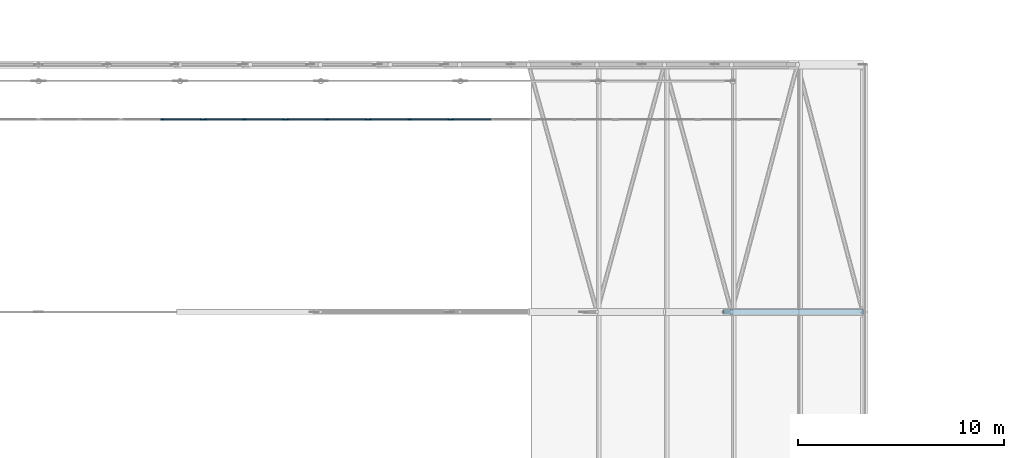
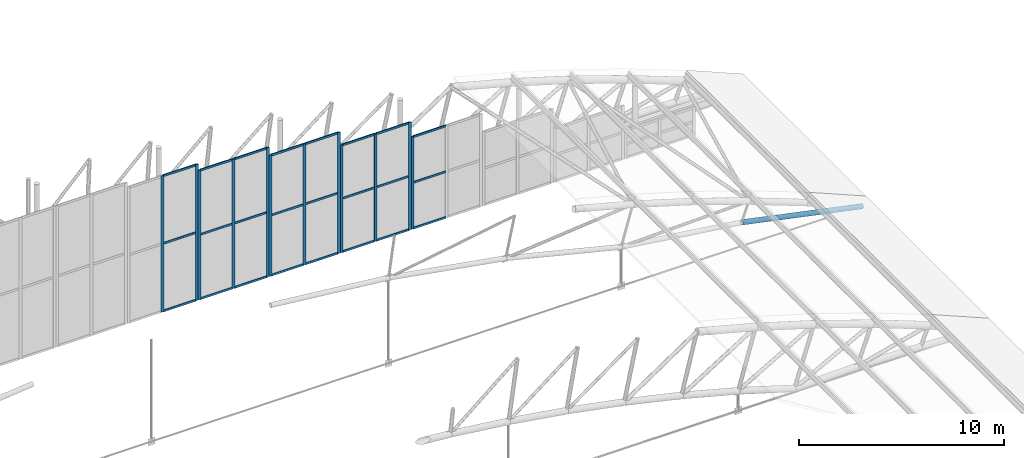
# One storey, part 197 of 321: 37 members, 5 elements without a shape of their own.
"""IFC4 building model written with IfcOpenShell, lengths in metres."""

from ifc_helpers import new_model, si_unit, direction, frame, origin, origin_2d, place, context, subcontext, project, spatial, rectangle, hollow_circle, extrude, material, layer, layer_set, material_profile, profile_set, type_object, element, aggregate, save


model = new_model("IFC4")

# Units and contexts
model_context = context("Model", 3, precision=1e-05, world=origin(), true_north=direction((0.0, 1.0)))
body_context = subcontext(model_context, "Body", "Model", "MODEL_VIEW")
ifc_project = project(units=[si_unit("LENGTHUNIT", "METRE"), si_unit("AREAUNIT", "SQUARE_METRE"), si_unit("VOLUMEUNIT", "CUBIC_METRE"), si_unit("PLANEANGLEUNIT", "RADIAN"), si_unit("MASSUNIT", "GRAM", prefix="KILO")], contexts=[model_context])

# Site, building, storey
site_placement = place(None, origin())
site = spatial("IfcSite", under=ifc_project, at=site_placement, CompositionType="ELEMENT")
building_placement = place(site_placement, origin())
building = spatial("IfcBuilding", under=site, at=building_placement, Name="Ravi Spectrum Wholesale Market", CompositionType="ELEMENT")
storey_placement = place(building_placement, frame((0.0, 0.0, 10.800048828125)))
storey = spatial("IfcBuildingStorey", under=building, at=storey_placement, Name="L02", CompositionType="ELEMENT", Elevation=10.800048828125)

# Member
ifc_material_1 = material(Name="Steel S355", Category="steel")
ifc_material_profile_1 = material_profile(ifc_material_1, hollow_circle(Radius=0.136474609375, WallThickness=0.010009765625, at=origin_2d()))
ifc_profile_set_1 = profile_set([ifc_material_profile_1], Name="Steel S355")
member_type_1 = type_object("IfcMemberType", Name="CHS 273x10 chord", PredefinedType="CHORD", material=ifc_profile_set_1)
member_1_placement = place(storey_placement, frame((103.231201171875, 186.0, 1.435546875), z_axis=(0.978978953118, 0.0, -0.203961293758), x_axis=(0.0, 1.0, 0.0)))
element("IfcMember", 1, at=member_1_placement, inside=storey, type_object=member_type_1, Name="H1-MB-L02-1107", PredefinedType="CHORD", context=body_context, shape_type="SweptSolid", body=[
    extrude(hollow_circle(Radius=0.136474609375, WallThickness=0.010009765625, at=origin_2d()), origin(), (0.0, 0.0, 1.0), 6.924560546875),
])

# Curtain wall, members
ifc_material_2 = material(Name="Aluminium 6063-T6", Category="aluminium")
ifc_layer = layer(ifc_material_2, 0.14990234375)
ifc_layer_set = layer_set([ifc_layer], Name="Aluminium 6063-T6")
curtain_wall_type = type_object("IfcCurtainWallType", Name="Curtain wall 150", PredefinedType="NOTDEFINED", material=ifc_layer_set)
curtain_wall_1_placement = place(storey_placement, origin())
curtain_wall_1 = element("IfcCurtainWall", 2, at=curtain_wall_1_placement, inside=storey, type_object=curtain_wall_type, Name="H1-CW-L02-011", PredefinedType="NOTDEFINED")
ifc_material_3 = material(Name="Aluminium 6063-T6", Category="aluminium")
ifc_material_profile_2 = material_profile(ifc_material_3, rectangle(XDim=0.06005859375, YDim=0.159912109375, at=origin_2d()))
ifc_profile_set_2 = profile_set([ifc_material_profile_2], Name="Aluminium 6063-T6")
member_type_2 = type_object("IfcMemberType", Name="Mullion 60 x 160", PredefinedType="MULLION", material=ifc_profile_set_2)
member_2_placement = place(storey_placement, frame((76.0, 195.340087890625, 0.0), z_axis=(0.0, 0.0, 1.0), x_axis=(0.0, 1.0, 0.0)))
member_2 = element("IfcMember", 3, at=member_2_placement, type_object=member_type_2, Name="H1-CW-L02-011 mullion 2", PredefinedType="MULLION", context=body_context, shape_type="SweptSolid", body=[
    extrude(rectangle(XDim=0.06005859375, YDim=0.159912109375, at=origin_2d()), origin(), (0.0, 0.0, 1.0), 8.099853515625),
])
member_3_placement = place(storey_placement, frame((77.929931640625, 195.340087890625, 0.0), z_axis=(0.0, 0.0, 1.0), x_axis=(0.0, 1.0, 0.0)))
member_3 = element("IfcMember", 4, at=member_3_placement, type_object=member_type_2, Name="H1-CW-L02-011 mullion 3", PredefinedType="MULLION", context=body_context, shape_type="SweptSolid", body=[
    extrude(rectangle(XDim=0.06005859375, YDim=0.159912109375, at=origin_2d()), origin(), (0.0, 0.0, 1.0), 8.099853515625),
])

curtain_wall_2_placement = place(storey_placement, origin())
curtain_wall_2 = element("IfcCurtainWall", 5, at=curtain_wall_2_placement, inside=storey, type_object=curtain_wall_type, Name="H1-CW-L02-012", PredefinedType="NOTDEFINED")
member_4_placement = place(storey_placement, frame((78.070068359375, 195.340087890625, 0.0), z_axis=(0.0, 0.0, 1.0), x_axis=(0.0, 1.0, 0.0)))
member_4 = element("IfcMember", 6, at=member_4_placement, type_object=member_type_2, Name="H1-CW-L02-012 mullion 1", PredefinedType="MULLION", context=body_context, shape_type="SweptSolid", body=[
    extrude(rectangle(XDim=0.06005859375, YDim=0.159912109375, at=origin_2d()), origin(), (0.0, 0.0, 1.0), 7.699951171875),
])
member_5_placement = place(storey_placement, frame((80.0, 195.340087890625, 0.0), z_axis=(0.0, 0.0, 1.0), x_axis=(0.0, 1.0, 0.0)))
member_5 = element("IfcMember", 7, at=member_5_placement, type_object=member_type_2, Name="H1-CW-L02-012 mullion 2", PredefinedType="MULLION", context=body_context, shape_type="SweptSolid", body=[
    extrude(rectangle(XDim=0.06005859375, YDim=0.159912109375, at=origin_2d()), origin(), (0.0, 0.0, 1.0), 7.699951171875),
])
member_6_placement = place(storey_placement, frame((81.929931640625, 195.340087890625, 0.0), z_axis=(0.0, 0.0, 1.0), x_axis=(0.0, 1.0, 0.0)))
member_6 = element("IfcMember", 8, at=member_6_placement, type_object=member_type_2, Name="H1-CW-L02-012 mullion 3", PredefinedType="MULLION", context=body_context, shape_type="SweptSolid", body=[
    extrude(rectangle(XDim=0.06005859375, YDim=0.159912109375, at=origin_2d()), origin(), (0.0, 0.0, 1.0), 7.699951171875),
])

curtain_wall_3_placement = place(storey_placement, origin())
curtain_wall_3 = element("IfcCurtainWall", 9, at=curtain_wall_3_placement, inside=storey, type_object=curtain_wall_type, Name="H1-CW-L02-013", PredefinedType="NOTDEFINED")
member_7_placement = place(storey_placement, frame((82.070068359375, 195.340087890625, 0.0), z_axis=(0.0, 0.0, 1.0), x_axis=(0.0, 1.0, 0.0)))
member_7 = element("IfcMember", 10, at=member_7_placement, type_object=member_type_2, Name="H1-CW-L02-013 mullion 1", PredefinedType="MULLION", context=body_context, shape_type="SweptSolid", body=[
    extrude(rectangle(XDim=0.06005859375, YDim=0.159912109375, at=origin_2d()), origin(), (0.0, 0.0, 1.0), 7.199951171875),
])
member_8_placement = place(storey_placement, frame((84.0, 195.340087890625, 0.0), z_axis=(0.0, 0.0, 1.0), x_axis=(0.0, 1.0, 0.0)))
member_8 = element("IfcMember", 11, at=member_8_placement, type_object=member_type_2, Name="H1-CW-L02-013 mullion 2", PredefinedType="MULLION", context=body_context, shape_type="SweptSolid", body=[
    extrude(rectangle(XDim=0.06005859375, YDim=0.159912109375, at=origin_2d()), origin(), (0.0, 0.0, 1.0), 7.199951171875),
])
member_9_placement = place(storey_placement, frame((85.929931640625, 195.340087890625, 0.0), z_axis=(0.0, 0.0, 1.0), x_axis=(0.0, 1.0, 0.0)))
member_9 = element("IfcMember", 12, at=member_9_placement, type_object=member_type_2, Name="H1-CW-L02-013 mullion 3", PredefinedType="MULLION", context=body_context, shape_type="SweptSolid", body=[
    extrude(rectangle(XDim=0.06005859375, YDim=0.159912109375, at=origin_2d()), origin(), (0.0, 0.0, 1.0), 7.199951171875),
])

curtain_wall_4_placement = place(storey_placement, origin())
curtain_wall_4 = element("IfcCurtainWall", 13, at=curtain_wall_4_placement, inside=storey, type_object=curtain_wall_type, Name="H1-CW-L02-014", PredefinedType="NOTDEFINED")
member_10_placement = place(storey_placement, frame((86.070068359375, 195.340087890625, 0.0), z_axis=(0.0, 0.0, 1.0), x_axis=(0.0, 1.0, 0.0)))
member_10 = element("IfcMember", 14, at=member_10_placement, type_object=member_type_2, Name="H1-CW-L02-014 mullion 1", PredefinedType="MULLION", context=body_context, shape_type="SweptSolid", body=[
    extrude(rectangle(XDim=0.06005859375, YDim=0.159912109375, at=origin_2d()), origin(), (0.0, 0.0, 1.0), 6.39990234375),
])
member_11_placement = place(storey_placement, frame((88.0, 195.340087890625, 0.0), z_axis=(0.0, 0.0, 1.0), x_axis=(0.0, 1.0, 0.0)))
member_11 = element("IfcMember", 15, at=member_11_placement, type_object=member_type_2, Name="H1-CW-L02-014 mullion 2", PredefinedType="MULLION", context=body_context, shape_type="SweptSolid", body=[
    extrude(rectangle(XDim=0.06005859375, YDim=0.159912109375, at=origin_2d()), origin(), (0.0, 0.0, 1.0), 6.39990234375),
])
member_12_placement = place(storey_placement, frame((89.929931640625, 195.340087890625, 0.0), z_axis=(0.0, 0.0, 1.0), x_axis=(0.0, 1.0, 0.0)))
member_12 = element("IfcMember", 16, at=member_12_placement, type_object=member_type_2, Name="H1-CW-L02-014 mullion 3", PredefinedType="MULLION", context=body_context, shape_type="SweptSolid", body=[
    extrude(rectangle(XDim=0.06005859375, YDim=0.159912109375, at=origin_2d()), origin(), (0.0, 0.0, 1.0), 6.39990234375),
])

# Curtain wall, member
curtain_wall_5_placement = place(storey_placement, origin())
curtain_wall_5 = element("IfcCurtainWall", 17, at=curtain_wall_5_placement, inside=storey, type_object=curtain_wall_type, Name="H1-CW-L02-015", PredefinedType="NOTDEFINED")
member_13_placement = place(storey_placement, frame((90.070068359375, 195.340087890625, 0.0), z_axis=(0.0, 0.0, 1.0), x_axis=(0.0, 1.0, 0.0)))
member_13 = element("IfcMember", 18, at=member_13_placement, type_object=member_type_2, Name="H1-CW-L02-015 mullion 1", PredefinedType="MULLION", context=body_context, shape_type="SweptSolid", body=[
    extrude(rectangle(XDim=0.06005859375, YDim=0.159912109375, at=origin_2d()), origin(), (0.0, 0.0, 1.0), 5.5),
])

# Member
ifc_material_4 = material(Name="Aluminium 6063-T6", Category="aluminium")
ifc_material_profile_3 = material_profile(ifc_material_4, rectangle(XDim=0.06005859375, YDim=0.1201171875, at=origin_2d()))
ifc_profile_set_3 = profile_set([ifc_material_profile_3], Name="Aluminium 6063-T6")
member_type_3 = type_object("IfcMemberType", Name="Transom 60 x 120", PredefinedType="USERDEFINED", material=ifc_profile_set_3)
member_14_placement = place(storey_placement, frame((76.030029296875, 195.340087890625, 0.030029296875), z_axis=(1.0, 0.0, 0.0), x_axis=(0.0, 1.0, 0.0)))
member_14 = element("IfcMember", 19, at=member_14_placement, type_object=member_type_3, Name="H1-CW-L02-011 transom 2.1", ObjectType="TRANSOM", PredefinedType="USERDEFINED", context=body_context, shape_type="SweptSolid", body=[
    extrude(rectangle(XDim=0.06005859375, YDim=0.1201171875, at=origin_2d()), origin(), (0.0, 0.0, 1.0), 1.869873046875),
])

member_15_placement = place(storey_placement, frame((76.030029296875, 195.340087890625, 4.050048828125), z_axis=(1.0, 0.0, 0.0), x_axis=(0.0, 1.0, 0.0)))
member_15 = element("IfcMember", 20, at=member_15_placement, type_object=member_type_3, Name="H1-CW-L02-011 transom 2.2", ObjectType="TRANSOM", PredefinedType="USERDEFINED", context=body_context, shape_type="SweptSolid", body=[
    extrude(rectangle(XDim=0.06005859375, YDim=0.1201171875, at=origin_2d()), origin(), (0.0, 0.0, 1.0), 1.869873046875),
])

member_16_placement = place(storey_placement, frame((76.030029296875, 195.340087890625, 8.070068359375), z_axis=(1.0, 0.0, 0.0), x_axis=(0.0, 1.0, 0.0)))
member_16 = element("IfcMember", 21, at=member_16_placement, type_object=member_type_3, Name="H1-CW-L02-011 transom 2.3", ObjectType="TRANSOM", PredefinedType="USERDEFINED", context=body_context, shape_type="SweptSolid", body=[
    extrude(rectangle(XDim=0.06005859375, YDim=0.1201171875, at=origin_2d()), origin(), (0.0, 0.0, 1.0), 1.869873046875),
])

aggregate(curtain_wall_1, [member_2, member_3, member_14, member_15, member_16])

member_17_placement = place(storey_placement, frame((78.10009765625, 195.340087890625, 0.030029296875), z_axis=(1.0, 0.0, 0.0), x_axis=(0.0, 1.0, 0.0)))
member_17 = element("IfcMember", 22, at=member_17_placement, type_object=member_type_3, Name="H1-CW-L02-012 transom 1.1", ObjectType="TRANSOM", PredefinedType="USERDEFINED", context=body_context, shape_type="SweptSolid", body=[
    extrude(rectangle(XDim=0.06005859375, YDim=0.1201171875, at=origin_2d()), origin(), (0.0, 0.0, 1.0), 1.869873046875),
])

member_18_placement = place(storey_placement, frame((78.10009765625, 195.340087890625, 3.849853515625), z_axis=(1.0, 0.0, 0.0), x_axis=(0.0, 1.0, 0.0)))
member_18 = element("IfcMember", 23, at=member_18_placement, type_object=member_type_3, Name="H1-CW-L02-012 transom 1.2", ObjectType="TRANSOM", PredefinedType="USERDEFINED", context=body_context, shape_type="SweptSolid", body=[
    extrude(rectangle(XDim=0.06005859375, YDim=0.1201171875, at=origin_2d()), origin(), (0.0, 0.0, 1.0), 1.869873046875),
])

member_19_placement = place(storey_placement, frame((78.10009765625, 195.340087890625, 7.669921875), z_axis=(1.0, 0.0, 0.0), x_axis=(0.0, 1.0, 0.0)))
member_19 = element("IfcMember", 24, at=member_19_placement, type_object=member_type_3, Name="H1-CW-L02-012 transom 1.3", ObjectType="TRANSOM", PredefinedType="USERDEFINED", context=body_context, shape_type="SweptSolid", body=[
    extrude(rectangle(XDim=0.06005859375, YDim=0.1201171875, at=origin_2d()), origin(), (0.0, 0.0, 1.0), 1.869873046875),
])

member_20_placement = place(storey_placement, frame((80.030029296875, 195.340087890625, 0.030029296875), z_axis=(1.0, 0.0, 0.0), x_axis=(0.0, 1.0, 0.0)))
member_20 = element("IfcMember", 25, at=member_20_placement, type_object=member_type_3, Name="H1-CW-L02-012 transom 2.1", ObjectType="TRANSOM", PredefinedType="USERDEFINED", context=body_context, shape_type="SweptSolid", body=[
    extrude(rectangle(XDim=0.06005859375, YDim=0.1201171875, at=origin_2d()), origin(), (0.0, 0.0, 1.0), 1.869873046875),
])

member_21_placement = place(storey_placement, frame((80.030029296875, 195.340087890625, 3.849853515625), z_axis=(1.0, 0.0, 0.0), x_axis=(0.0, 1.0, 0.0)))
member_21 = element("IfcMember", 26, at=member_21_placement, type_object=member_type_3, Name="H1-CW-L02-012 transom 2.2", ObjectType="TRANSOM", PredefinedType="USERDEFINED", context=body_context, shape_type="SweptSolid", body=[
    extrude(rectangle(XDim=0.06005859375, YDim=0.1201171875, at=origin_2d()), origin(), (0.0, 0.0, 1.0), 1.869873046875),
])

member_22_placement = place(storey_placement, frame((80.030029296875, 195.340087890625, 7.669921875), z_axis=(1.0, 0.0, 0.0), x_axis=(0.0, 1.0, 0.0)))
member_22 = element("IfcMember", 27, at=member_22_placement, type_object=member_type_3, Name="H1-CW-L02-012 transom 2.3", ObjectType="TRANSOM", PredefinedType="USERDEFINED", context=body_context, shape_type="SweptSolid", body=[
    extrude(rectangle(XDim=0.06005859375, YDim=0.1201171875, at=origin_2d()), origin(), (0.0, 0.0, 1.0), 1.869873046875),
])

aggregate(curtain_wall_2, [member_4, member_5, member_6, member_17, member_18, member_19, member_20, member_21, member_22])

member_23_placement = place(storey_placement, frame((82.10009765625, 195.340087890625, 0.030029296875), z_axis=(1.0, 0.0, 0.0), x_axis=(0.0, 1.0, 0.0)))
member_23 = element("IfcMember", 28, at=member_23_placement, type_object=member_type_3, Name="H1-CW-L02-013 transom 1.1", ObjectType="TRANSOM", PredefinedType="USERDEFINED", context=body_context, shape_type="SweptSolid", body=[
    extrude(rectangle(XDim=0.06005859375, YDim=0.1201171875, at=origin_2d()), origin(), (0.0, 0.0, 1.0), 1.869873046875),
])

member_24_placement = place(storey_placement, frame((82.10009765625, 195.340087890625, 3.599853515625), z_axis=(1.0, 0.0, 0.0), x_axis=(0.0, 1.0, 0.0)))
member_24 = element("IfcMember", 29, at=member_24_placement, type_object=member_type_3, Name="H1-CW-L02-013 transom 1.2", ObjectType="TRANSOM", PredefinedType="USERDEFINED", context=body_context, shape_type="SweptSolid", body=[
    extrude(rectangle(XDim=0.06005859375, YDim=0.1201171875, at=origin_2d()), origin(), (0.0, 0.0, 1.0), 1.869873046875),
])

member_25_placement = place(storey_placement, frame((82.10009765625, 195.340087890625, 7.169921875), z_axis=(1.0, 0.0, 0.0), x_axis=(0.0, 1.0, 0.0)))
member_25 = element("IfcMember", 30, at=member_25_placement, type_object=member_type_3, Name="H1-CW-L02-013 transom 1.3", ObjectType="TRANSOM", PredefinedType="USERDEFINED", context=body_context, shape_type="SweptSolid", body=[
    extrude(rectangle(XDim=0.06005859375, YDim=0.1201171875, at=origin_2d()), origin(), (0.0, 0.0, 1.0), 1.869873046875),
])

member_26_placement = place(storey_placement, frame((84.030029296875, 195.340087890625, 0.030029296875), z_axis=(1.0, 0.0, 0.0), x_axis=(0.0, 1.0, 0.0)))
member_26 = element("IfcMember", 31, at=member_26_placement, type_object=member_type_3, Name="H1-CW-L02-013 transom 2.1", ObjectType="TRANSOM", PredefinedType="USERDEFINED", context=body_context, shape_type="SweptSolid", body=[
    extrude(rectangle(XDim=0.06005859375, YDim=0.1201171875, at=origin_2d()), origin(), (0.0, 0.0, 1.0), 1.869873046875),
])

member_27_placement = place(storey_placement, frame((84.030029296875, 195.340087890625, 3.599853515625), z_axis=(1.0, 0.0, 0.0), x_axis=(0.0, 1.0, 0.0)))
member_27 = element("IfcMember", 32, at=member_27_placement, type_object=member_type_3, Name="H1-CW-L02-013 transom 2.2", ObjectType="TRANSOM", PredefinedType="USERDEFINED", context=body_context, shape_type="SweptSolid", body=[
    extrude(rectangle(XDim=0.06005859375, YDim=0.1201171875, at=origin_2d()), origin(), (0.0, 0.0, 1.0), 1.869873046875),
])

member_28_placement = place(storey_placement, frame((84.030029296875, 195.340087890625, 7.169921875), z_axis=(1.0, 0.0, 0.0), x_axis=(0.0, 1.0, 0.0)))
member_28 = element("IfcMember", 33, at=member_28_placement, type_object=member_type_3, Name="H1-CW-L02-013 transom 2.3", ObjectType="TRANSOM", PredefinedType="USERDEFINED", context=body_context, shape_type="SweptSolid", body=[
    extrude(rectangle(XDim=0.06005859375, YDim=0.1201171875, at=origin_2d()), origin(), (0.0, 0.0, 1.0), 1.869873046875),
])

aggregate(curtain_wall_3, [member_7, member_8, member_9, member_23, member_24, member_25, member_26, member_27, member_28])

member_29_placement = place(storey_placement, frame((86.10009765625, 195.340087890625, 0.030029296875), z_axis=(1.0, 0.0, 0.0), x_axis=(0.0, 1.0, 0.0)))
member_29 = element("IfcMember", 34, at=member_29_placement, type_object=member_type_3, Name="H1-CW-L02-014 transom 1.1", ObjectType="TRANSOM", PredefinedType="USERDEFINED", context=body_context, shape_type="SweptSolid", body=[
    extrude(rectangle(XDim=0.06005859375, YDim=0.1201171875, at=origin_2d()), origin(), (0.0, 0.0, 1.0), 1.869873046875),
])

member_30_placement = place(storey_placement, frame((86.10009765625, 195.340087890625, 3.199951171875), z_axis=(1.0, 0.0, 0.0), x_axis=(0.0, 1.0, 0.0)))
member_30 = element("IfcMember", 35, at=member_30_placement, type_object=member_type_3, Name="H1-CW-L02-014 transom 1.2", ObjectType="TRANSOM", PredefinedType="USERDEFINED", context=body_context, shape_type="SweptSolid", body=[
    extrude(rectangle(XDim=0.06005859375, YDim=0.1201171875, at=origin_2d()), origin(), (0.0, 0.0, 1.0), 1.869873046875),
])

member_31_placement = place(storey_placement, frame((86.10009765625, 195.340087890625, 6.369873046875), z_axis=(1.0, 0.0, 0.0), x_axis=(0.0, 1.0, 0.0)))
member_31 = element("IfcMember", 36, at=member_31_placement, type_object=member_type_3, Name="H1-CW-L02-014 transom 1.3", ObjectType="TRANSOM", PredefinedType="USERDEFINED", context=body_context, shape_type="SweptSolid", body=[
    extrude(rectangle(XDim=0.06005859375, YDim=0.1201171875, at=origin_2d()), origin(), (0.0, 0.0, 1.0), 1.869873046875),
])

member_32_placement = place(storey_placement, frame((88.030029296875, 195.340087890625, 0.030029296875), z_axis=(1.0, 0.0, 0.0), x_axis=(0.0, 1.0, 0.0)))
member_32 = element("IfcMember", 37, at=member_32_placement, type_object=member_type_3, Name="H1-CW-L02-014 transom 2.1", ObjectType="TRANSOM", PredefinedType="USERDEFINED", context=body_context, shape_type="SweptSolid", body=[
    extrude(rectangle(XDim=0.06005859375, YDim=0.1201171875, at=origin_2d()), origin(), (0.0, 0.0, 1.0), 1.869873046875),
])

member_33_placement = place(storey_placement, frame((88.030029296875, 195.340087890625, 3.199951171875), z_axis=(1.0, 0.0, 0.0), x_axis=(0.0, 1.0, 0.0)))
member_33 = element("IfcMember", 38, at=member_33_placement, type_object=member_type_3, Name="H1-CW-L02-014 transom 2.2", ObjectType="TRANSOM", PredefinedType="USERDEFINED", context=body_context, shape_type="SweptSolid", body=[
    extrude(rectangle(XDim=0.06005859375, YDim=0.1201171875, at=origin_2d()), origin(), (0.0, 0.0, 1.0), 1.869873046875),
])

member_34_placement = place(storey_placement, frame((88.030029296875, 195.340087890625, 6.369873046875), z_axis=(1.0, 0.0, 0.0), x_axis=(0.0, 1.0, 0.0)))
member_34 = element("IfcMember", 39, at=member_34_placement, type_object=member_type_3, Name="H1-CW-L02-014 transom 2.3", ObjectType="TRANSOM", PredefinedType="USERDEFINED", context=body_context, shape_type="SweptSolid", body=[
    extrude(rectangle(XDim=0.06005859375, YDim=0.1201171875, at=origin_2d()), origin(), (0.0, 0.0, 1.0), 1.869873046875),
])

aggregate(curtain_wall_4, [member_10, member_11, member_12, member_29, member_30, member_31, member_32, member_33, member_34])

member_35_placement = place(storey_placement, frame((90.10009765625, 195.340087890625, 0.030029296875), z_axis=(1.0, 0.0, 0.0), x_axis=(0.0, 1.0, 0.0)))
member_35 = element("IfcMember", 40, at=member_35_placement, type_object=member_type_3, Name="H1-CW-L02-015 transom 1.1", ObjectType="TRANSOM", PredefinedType="USERDEFINED", context=body_context, shape_type="SweptSolid", body=[
    extrude(rectangle(XDim=0.06005859375, YDim=0.1201171875, at=origin_2d()), origin(), (0.0, 0.0, 1.0), 1.869873046875),
])

member_36_placement = place(storey_placement, frame((90.10009765625, 195.340087890625, 2.75), z_axis=(1.0, 0.0, 0.0), x_axis=(0.0, 1.0, 0.0)))
member_36 = element("IfcMember", 41, at=member_36_placement, type_object=member_type_3, Name="H1-CW-L02-015 transom 1.2", ObjectType="TRANSOM", PredefinedType="USERDEFINED", context=body_context, shape_type="SweptSolid", body=[
    extrude(rectangle(XDim=0.06005859375, YDim=0.1201171875, at=origin_2d()), origin(), (0.0, 0.0, 1.0), 1.869873046875),
])

member_37_placement = place(storey_placement, frame((90.10009765625, 195.340087890625, 5.469970703125), z_axis=(1.0, 0.0, 0.0), x_axis=(0.0, 1.0, 0.0)))
member_37 = element("IfcMember", 42, at=member_37_placement, type_object=member_type_3, Name="H1-CW-L02-015 transom 1.3", ObjectType="TRANSOM", PredefinedType="USERDEFINED", context=body_context, shape_type="SweptSolid", body=[
    extrude(rectangle(XDim=0.06005859375, YDim=0.1201171875, at=origin_2d()), origin(), (0.0, 0.0, 1.0), 1.869873046875),
])

aggregate(curtain_wall_5, [member_13, member_35, member_36, member_37])

save(model, "model.ifc")
